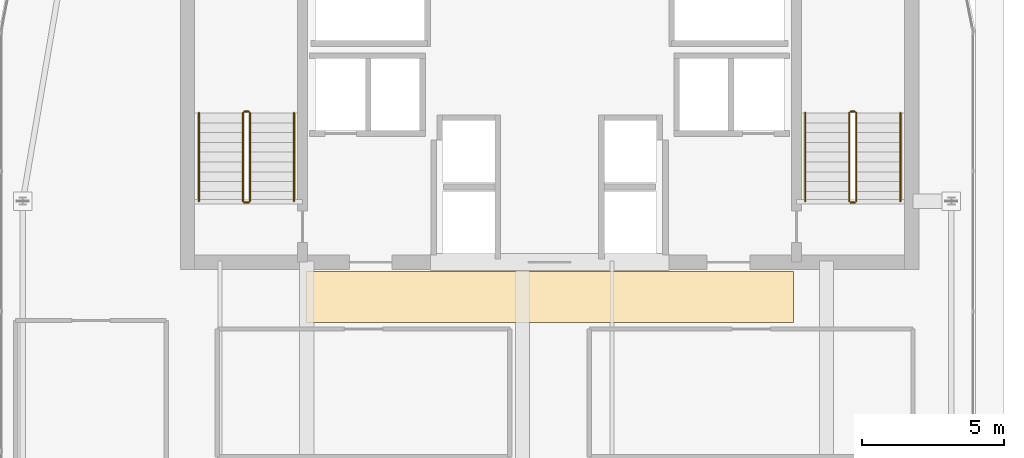
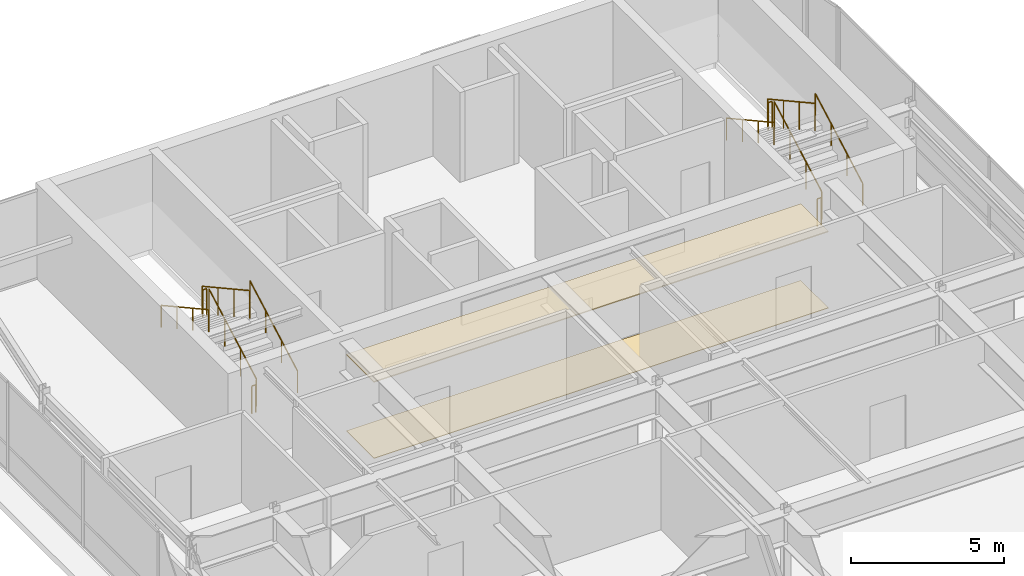
# One storey, part 35 of 35: 12 railings, 2 coverings.
"""IFC4 building model written with IfcOpenShell, lengths in metres."""

from ifc_helpers import new_model, si_unit, direction, frame, origin, origin_2d, place, context, subcontext, project, spatial, polyline, circle, outline, extrude, material, layer, layer_set, type_object, element, save


model = new_model("IFC4")

# Units and contexts
model_context = context("Model", 3, precision=1e-05, world=origin(), true_north=direction((0.0, 1.0)))
body_context = subcontext(model_context, "Body", "Model", "MODEL_VIEW")
ifc_project = project(units=[si_unit("LENGTHUNIT", "METRE"), si_unit("AREAUNIT", "SQUARE_METRE"), si_unit("VOLUMEUNIT", "CUBIC_METRE"), si_unit("PLANEANGLEUNIT", "RADIAN"), si_unit("MASSUNIT", "GRAM", prefix="KILO")], contexts=[model_context])

# Site, building, storey
site_placement = place(None, origin())
site = spatial("IfcSite", under=ifc_project, at=site_placement, CompositionType="ELEMENT")
building_placement = place(site_placement, origin())
building = spatial("IfcBuilding", under=site, at=building_placement, Name="Tolvann Quenvar Hotel", CompositionType="ELEMENT")
storey_placement = place(building_placement, frame((0.0, 0.0, 290.949951171875)))
storey = spatial("IfcBuildingStorey", under=building, at=storey_placement, Name="L77", CompositionType="ELEMENT", Elevation=290.949951171875)

# Coverings
ifc_material_1 = material(Name="Micro-perforated acoustic mineral-fibre and timber-batten suspended ceiling", Category="wood")
ifc_layer_1 = layer(ifc_material_1, 0.0400390625)
ifc_layer_set_1 = layer_set([ifc_layer_1], Name="Micro-perforated acoustic mineral-fibre and timber-batten suspended ceiling")
covering_type_1 = type_object("IfcCoveringType", Name="COV_CEIL_ACOUSTIC_40", PredefinedType="CEILING", material=ifc_layer_set_1)
covering_1_placement = place(storey_placement, frame((0.0, 0.0, 3.0400390625)))
element("IfcCovering", 1, at=covering_1_placement, inside=storey, type_object=covering_type_1, Name="Suspended Acoustic Ceiling (Lantern Core Stair Vestibule L77)", PredefinedType="CEILING", context=body_context, shape_type="SweptSolid", body=[
    extrude(outline(polyline([(14.419921875, 29.719970703125), (31.580078125, 29.719970703125), (31.580078125, 31.530029296875), (14.419921875, 31.530029296875), (14.419921875, 29.719970703125)])), origin(), (0.0, 0.0, 1.0), 0.0400390625),
])
ifc_material_2 = material(Name="Honed Australian bluestone, terrazzo and engineered oak flooring", Category="masonry")
ifc_layer_2 = layer(ifc_material_2, 0.02001953125)
ifc_layer_set_2 = layer_set([ifc_layer_2], Name="Honed Australian bluestone, terrazzo and engineered oak flooring")
covering_type_2 = type_object("IfcCoveringType", Name="COV_FLOOR_STONE_20", PredefinedType="FLOORING", material=ifc_layer_set_2)
covering_2_placement = place(storey_placement, origin())
element("IfcCovering", 2, at=covering_2_placement, inside=storey, type_object=covering_type_2, Name="Architectural Floor Finish (Lantern Core Stair Vestibule L77)", PredefinedType="FLOORING", context=body_context, shape_type="SweptSolid", body=[
    extrude(outline(polyline([(14.419921875, 29.719970703125), (31.580078125, 29.719970703125), (31.580078125, 31.530029296875), (14.419921875, 31.530029296875), (14.419921875, 29.719970703125)])), origin(), (0.0, 0.0, 1.0), 0.02001953125),
])

# Railings
ifc_material_3 = material(Name="Brushed 316 stainless steel balustrade and handrail", Category="steel")
railing_type_1 = type_object("IfcRailingType", Name="GUARDRAIL", PredefinedType="GUARDRAIL", material=ifc_material_3)
railing_1_placement = place(storey_placement, frame((12.449951171875, 34.0, 0.18994140625)))
element("IfcRailing", 3, at=railing_1_placement, inside=storey, type_object=railing_type_1, Name="L77 ST-C1 stair guard 1", PredefinedType="GUARDRAIL", context=body_context, shape_type="SweptSolid", body=[
    extrude(circle(Radius=0.02392578125, at=origin_2d()), frame((0.0, 0.0, 1.09619140625), z_axis=(0.0, 0.875922012777, 0.482452720515), x_axis=(-1.0, 0.0, 0.0)), (0.0, 0.0, 1.0), 3.544921875),
    extrude(circle(Radius=0.02099609375, at=origin_2d()), origin(), (0.0, 0.0, 1.0), 1.072021484375),
    extrude(circle(Radius=0.02099609375, at=origin_2d()), frame((0.0, 1.034912109375, 0.570068359375)), (0.0, 0.0, 1.0), 1.072021484375),
    extrude(circle(Radius=0.02099609375, at=origin_2d()), frame((0.0, 2.070068359375, 1.14013671875)), (0.0, 0.0, 1.0), 1.072021484375),
    extrude(circle(Radius=0.02099609375, at=origin_2d()), frame((0.0, 3.10498046875, 1.710205078125)), (0.0, 0.0, 1.0), 1.072021484375),
])
railing_2_placement = place(storey_placement, frame((12.39990234375, 37.155029296875, 1.900146484375)))
element("IfcRailing", 4, at=railing_2_placement, inside=storey, type_object=railing_type_1, Name="L77 ST-C1 stair guard 2", PredefinedType="GUARDRAIL", context=body_context, shape_type="SweptSolid", body=[
    extrude(circle(Radius=0.02392578125, at=origin_2d()), frame((0.0, 0.0, 1.09619140625), z_axis=(-1.0, 0.0, 0.0), x_axis=(0.0, -1.0, 0.0)), (0.0, 0.0, 1.0), 0.14990234375),
    extrude(circle(Radius=0.02099609375, at=origin_2d()), origin(), (0.0, 0.0, 1.0), 1.072021484375),
    extrude(circle(Radius=0.02099609375, at=origin_2d()), frame((-0.14990234375, 0.0, 0.0)), (0.0, 0.0, 1.0), 1.072021484375),
])
railing_3_placement = place(storey_placement, frame((12.199951171875, 37.10498046875, 2.090087890625)))
element("IfcRailing", 5, at=railing_3_placement, inside=storey, type_object=railing_type_1, Name="L77 ST-C1 stair guard 3", PredefinedType="GUARDRAIL", context=body_context, shape_type="SweptSolid", body=[
    extrude(circle(Radius=0.02392578125, at=origin_2d()), frame((0.0, 0.0, 1.09619140625), z_axis=(0.0, -0.875951117098, 0.482399876093), x_axis=(1.0, 0.0, 0.0)), (0.0, 0.0, 1.0), 3.544677734375),
    extrude(circle(Radius=0.02099609375, at=origin_2d()), origin(), (0.0, 0.0, 1.0), 1.072021484375),
    extrude(circle(Radius=0.02099609375, at=origin_2d()), frame((0.0, -1.034912109375, 0.570068359375)), (0.0, 0.0, 1.0), 1.072021484375),
    extrude(circle(Radius=0.02099609375, at=origin_2d()), frame((0.0, -2.070068359375, 1.139892578125)), (0.0, 0.0, 1.0), 1.072021484375),
    extrude(circle(Radius=0.02099609375, at=origin_2d()), frame((0.0, -3.10498046875, 1.7099609375)), (0.0, 0.0, 1.0), 1.072021484375),
])
railing_4_placement = place(storey_placement, frame((12.39990234375, 33.949951171875, 0.0)))
element("IfcRailing", 6, at=railing_4_placement, inside=storey, type_object=railing_type_1, Name="L77 ST-C1 stair guard 4", PredefinedType="GUARDRAIL", context=body_context, shape_type="SweptSolid", body=[
    extrude(circle(Radius=0.02392578125, at=origin_2d()), frame((0.0, 0.0, 1.09619140625), z_axis=(-1.0, 0.0, 0.0), x_axis=(0.0, -1.0, 0.0)), (0.0, 0.0, 1.0), 0.14990234375),
    extrude(circle(Radius=0.02099609375, at=origin_2d()), origin(), (0.0, 0.0, 1.0), 1.072021484375),
    extrude(circle(Radius=0.02099609375, at=origin_2d()), frame((-0.14990234375, 0.0, 0.0)), (0.0, 0.0, 1.0), 1.072021484375),
])
railing_5_placement = place(storey_placement, frame((33.800048828125, 34.0, 0.18994140625)))
element("IfcRailing", 7, at=railing_5_placement, inside=storey, type_object=railing_type_1, Name="L77 ST-C2 stair guard 1", PredefinedType="GUARDRAIL", context=body_context, shape_type="SweptSolid", body=[
    extrude(circle(Radius=0.02392578125, at=origin_2d()), frame((0.0, 0.0, 1.09619140625), z_axis=(0.0, 0.875922012777, 0.482452720515), x_axis=(-1.0, 0.0, 0.0)), (0.0, 0.0, 1.0), 3.544921875),
    extrude(circle(Radius=0.02099609375, at=origin_2d()), origin(), (0.0, 0.0, 1.0), 1.072021484375),
    extrude(circle(Radius=0.02099609375, at=origin_2d()), frame((0.0, 1.034912109375, 0.570068359375)), (0.0, 0.0, 1.0), 1.072021484375),
    extrude(circle(Radius=0.02099609375, at=origin_2d()), frame((0.0, 2.070068359375, 1.14013671875)), (0.0, 0.0, 1.0), 1.072021484375),
    extrude(circle(Radius=0.02099609375, at=origin_2d()), frame((0.0, 3.10498046875, 1.710205078125)), (0.0, 0.0, 1.0), 1.072021484375),
])
railing_6_placement = place(storey_placement, frame((33.75, 37.155029296875, 1.900146484375)))
element("IfcRailing", 8, at=railing_6_placement, inside=storey, type_object=railing_type_1, Name="L77 ST-C2 stair guard 2", PredefinedType="GUARDRAIL", context=body_context, shape_type="SweptSolid", body=[
    extrude(circle(Radius=0.02392578125, at=origin_2d()), frame((0.0, 0.0, 1.09619140625), z_axis=(-1.0, 0.0, 0.0), x_axis=(0.0, -1.0, 0.0)), (0.0, 0.0, 1.0), 0.14990234375),
    extrude(circle(Radius=0.02099609375, at=origin_2d()), origin(), (0.0, 0.0, 1.0), 1.072021484375),
    extrude(circle(Radius=0.02099609375, at=origin_2d()), frame((-0.14990234375, 0.0, 0.0)), (0.0, 0.0, 1.0), 1.072021484375),
])
railing_7_placement = place(storey_placement, frame((33.550048828125, 37.10498046875, 2.090087890625)))
element("IfcRailing", 9, at=railing_7_placement, inside=storey, type_object=railing_type_1, Name="L77 ST-C2 stair guard 3", PredefinedType="GUARDRAIL", context=body_context, shape_type="SweptSolid", body=[
    extrude(circle(Radius=0.02392578125, at=origin_2d()), frame((0.0, 0.0, 1.09619140625), z_axis=(0.0, -0.875951117098, 0.482399876093), x_axis=(1.0, 0.0, 0.0)), (0.0, 0.0, 1.0), 3.544677734375),
    extrude(circle(Radius=0.02099609375, at=origin_2d()), origin(), (0.0, 0.0, 1.0), 1.072021484375),
    extrude(circle(Radius=0.02099609375, at=origin_2d()), frame((0.0, -1.034912109375, 0.570068359375)), (0.0, 0.0, 1.0), 1.072021484375),
    extrude(circle(Radius=0.02099609375, at=origin_2d()), frame((0.0, -2.070068359375, 1.139892578125)), (0.0, 0.0, 1.0), 1.072021484375),
    extrude(circle(Radius=0.02099609375, at=origin_2d()), frame((0.0, -3.10498046875, 1.7099609375)), (0.0, 0.0, 1.0), 1.072021484375),
])
railing_8_placement = place(storey_placement, frame((33.75, 33.949951171875, 0.0)))
element("IfcRailing", 10, at=railing_8_placement, inside=storey, type_object=railing_type_1, Name="L77 ST-C2 stair guard 4", PredefinedType="GUARDRAIL", context=body_context, shape_type="SweptSolid", body=[
    extrude(circle(Radius=0.02392578125, at=origin_2d()), frame((0.0, 0.0, 1.09619140625), z_axis=(-1.0, 0.0, 0.0), x_axis=(0.0, -1.0, 0.0)), (0.0, 0.0, 1.0), 0.14990234375),
    extrude(circle(Radius=0.02099609375, at=origin_2d()), origin(), (0.0, 0.0, 1.0), 1.072021484375),
    extrude(circle(Radius=0.02099609375, at=origin_2d()), frame((-0.14990234375, 0.0, 0.0)), (0.0, 0.0, 1.0), 1.072021484375),
])
railing_type_2 = type_object("IfcRailingType", Name="HANDRAIL", PredefinedType="HANDRAIL", material=ifc_material_3)
railing_9_placement = place(storey_placement, frame((14.0, 34.0, 0.18994140625)))
element("IfcRailing", 11, at=railing_9_placement, inside=storey, type_object=railing_type_2, Name="L77 ST-C1 stair handrail 1", PredefinedType="HANDRAIL", context=body_context, shape_type="SweptSolid", body=[
    extrude(circle(Radius=0.02392578125, at=origin_2d()), frame((0.0, 0.0, 0.8759765625), z_axis=(0.0, 0.875922012777, 0.482452720515), x_axis=(-1.0, 0.0, 0.0)), (0.0, 0.0, 1.0), 3.544921875),
    extrude(circle(Radius=0.02099609375, at=origin_2d()), origin(), (0.0, 0.0, 1.0), 0.851806640625),
    extrude(circle(Radius=0.02099609375, at=origin_2d()), frame((0.0, 1.034912109375, 0.570068359375)), (0.0, 0.0, 1.0), 0.851806640625),
    extrude(circle(Radius=0.02099609375, at=origin_2d()), frame((0.0, 2.070068359375, 1.14013671875)), (0.0, 0.0, 1.0), 0.851806640625),
    extrude(circle(Radius=0.02099609375, at=origin_2d()), frame((0.0, 3.10498046875, 1.710205078125)), (0.0, 0.0, 1.0), 0.851806640625),
])
railing_10_placement = place(storey_placement, frame((10.64990234375, 37.10498046875, 2.090087890625)))
element("IfcRailing", 12, at=railing_10_placement, inside=storey, type_object=railing_type_2, Name="L77 ST-C1 stair handrail 2", PredefinedType="HANDRAIL", context=body_context, shape_type="SweptSolid", body=[
    extrude(circle(Radius=0.02392578125, at=origin_2d()), frame((0.0, 0.0, 0.8759765625), z_axis=(0.0, -0.875951117098, 0.482399876093), x_axis=(1.0, 0.0, 0.0)), (0.0, 0.0, 1.0), 3.544677734375),
    extrude(circle(Radius=0.02099609375, at=origin_2d()), origin(), (0.0, 0.0, 1.0), 0.851806640625),
    extrude(circle(Radius=0.02099609375, at=origin_2d()), frame((0.0, -1.034912109375, 0.570068359375)), (0.0, 0.0, 1.0), 0.851806640625),
    extrude(circle(Radius=0.02099609375, at=origin_2d()), frame((0.0, -2.070068359375, 1.139892578125)), (0.0, 0.0, 1.0), 0.851806640625),
    extrude(circle(Radius=0.02099609375, at=origin_2d()), frame((0.0, -3.10498046875, 1.7099609375)), (0.0, 0.0, 1.0), 0.851806640625),
])
railing_11_placement = place(storey_placement, frame((35.35009765625, 34.0, 0.18994140625)))
element("IfcRailing", 13, at=railing_11_placement, inside=storey, type_object=railing_type_2, Name="L77 ST-C2 stair handrail 1", PredefinedType="HANDRAIL", context=body_context, shape_type="SweptSolid", body=[
    extrude(circle(Radius=0.02392578125, at=origin_2d()), frame((0.0, 0.0, 0.8759765625), z_axis=(0.0, 0.875922012777, 0.482452720515), x_axis=(-1.0, 0.0, 0.0)), (0.0, 0.0, 1.0), 3.544921875),
    extrude(circle(Radius=0.02099609375, at=origin_2d()), origin(), (0.0, 0.0, 1.0), 0.851806640625),
    extrude(circle(Radius=0.02099609375, at=origin_2d()), frame((0.0, 1.034912109375, 0.570068359375)), (0.0, 0.0, 1.0), 0.851806640625),
    extrude(circle(Radius=0.02099609375, at=origin_2d()), frame((0.0, 2.070068359375, 1.14013671875)), (0.0, 0.0, 1.0), 0.851806640625),
    extrude(circle(Radius=0.02099609375, at=origin_2d()), frame((0.0, 3.10498046875, 1.710205078125)), (0.0, 0.0, 1.0), 0.851806640625),
])
railing_12_placement = place(storey_placement, frame((32.0, 37.10498046875, 2.090087890625)))
element("IfcRailing", 14, at=railing_12_placement, inside=storey, type_object=railing_type_2, Name="L77 ST-C2 stair handrail 2", PredefinedType="HANDRAIL", context=body_context, shape_type="SweptSolid", body=[
    extrude(circle(Radius=0.02392578125, at=origin_2d()), frame((0.0, 0.0, 0.8759765625), z_axis=(0.0, -0.875951117098, 0.482399876093), x_axis=(1.0, 0.0, 0.0)), (0.0, 0.0, 1.0), 3.544677734375),
    extrude(circle(Radius=0.02099609375, at=origin_2d()), origin(), (0.0, 0.0, 1.0), 0.851806640625),
    extrude(circle(Radius=0.02099609375, at=origin_2d()), frame((0.0, -1.034912109375, 0.570068359375)), (0.0, 0.0, 1.0), 0.851806640625),
    extrude(circle(Radius=0.02099609375, at=origin_2d()), frame((0.0, -2.070068359375, 1.139892578125)), (0.0, 0.0, 1.0), 0.851806640625),
    extrude(circle(Radius=0.02099609375, at=origin_2d()), frame((0.0, -3.10498046875, 1.7099609375)), (0.0, 0.0, 1.0), 0.851806640625),
])

save(model, "model.ifc")
